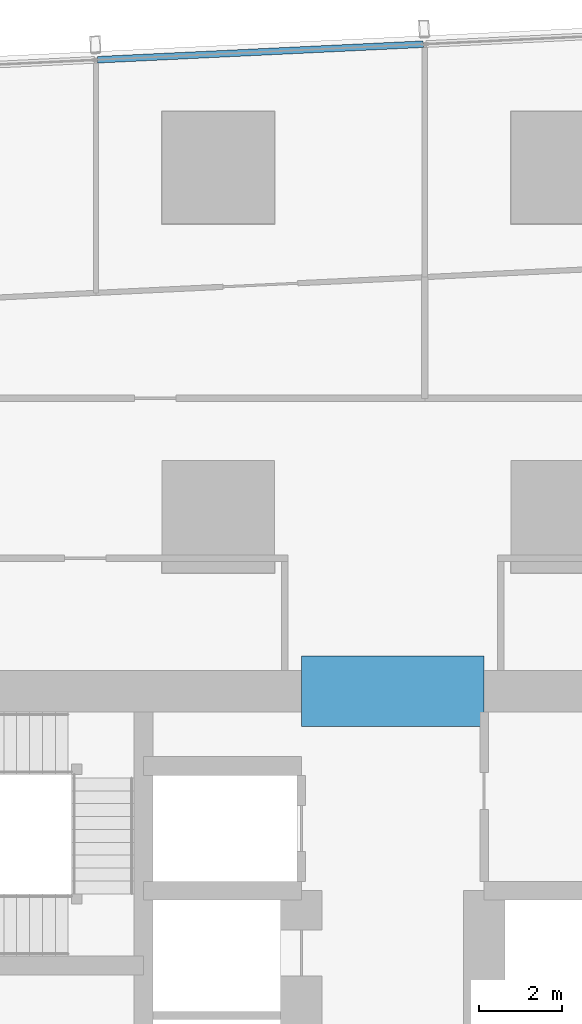
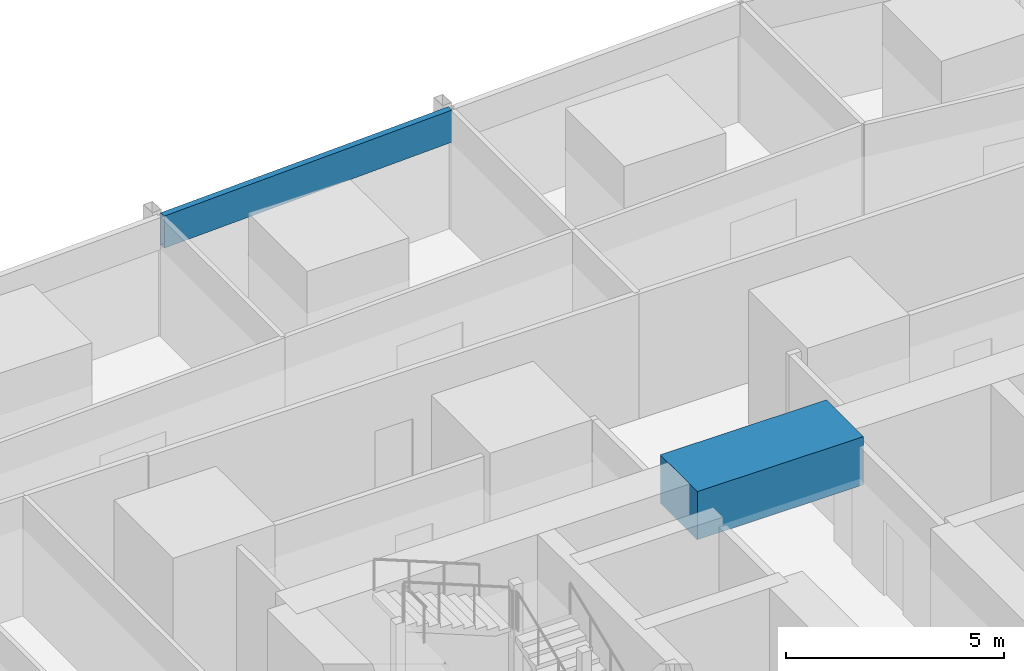
# One storey, part 18 of 36: 1 beam, 1 member, 1 element without a shape of its own.
"""IFC4 building model written with IfcOpenShell, lengths in metres."""

from ifc_helpers import new_model, si_unit, direction, frame, origin, origin_2d, place, context, subcontext, project, spatial, rectangle, hollow_rectangle, extrude, material, material_profile, profile_set, type_object, element, aggregate, save


model = new_model("IFC4")

# Units and contexts
model_context = context("Model", 3, precision=1e-05, world=origin(), true_north=direction((0.0, 1.0)))
body_context = subcontext(model_context, "Body", "Model", "MODEL_VIEW")
ifc_project = project(units=[si_unit("LENGTHUNIT", "METRE"), si_unit("AREAUNIT", "SQUARE_METRE"), si_unit("VOLUMEUNIT", "CUBIC_METRE"), si_unit("PLANEANGLEUNIT", "RADIAN"), si_unit("MASSUNIT", "GRAM", prefix="KILO")], contexts=[model_context])

# Site, building, storey
site_placement = place(None, origin())
site = spatial("IfcSite", under=ifc_project, at=site_placement, CompositionType="ELEMENT")
building_placement = place(site_placement, origin())
building = spatial("IfcBuilding", under=site, at=building_placement, Name="Rekha Terrace Tower", CompositionType="ELEMENT")
storey_placement = place(building_placement, frame((0.0, 0.0, 172.699951171875)))
storey = spatial("IfcBuildingStorey", under=building, at=storey_placement, Name="L43", CompositionType="ELEMENT", Elevation=172.699951171875)

# Curtain wall, member
ifc_material_1 = material(Name="Aluminium framing", Category="aluminium")
curtain_wall_type = type_object("IfcCurtainWallType", Name="CW3 north unitised glazing", PredefinedType="USERDEFINED", material=ifc_material_1)
curtain_wall_placement = place(storey_placement, origin())
curtain_wall = element("IfcCurtainWall", 1, at=curtain_wall_placement, inside=storey, type_object=curtain_wall_type, Name="CW3 unitised curtain wall", ObjectType="UNITISED CURTAIN WALL", PredefinedType="USERDEFINED")
ifc_material_2 = material(Name="Insulated aluminium spandrel box", Category="aluminium")
ifc_material_profile_1 = material_profile(ifc_material_2, hollow_rectangle(XDim=0.159912109375, YDim=0.89990234375, WallThickness=0.0029296875, at=origin_2d()), Name="AL SPANDREL BOX 160x900")
ifc_profile_set_1 = profile_set([ifc_material_profile_1], Name="Insulated aluminium spandrel box")
member_type = type_object("IfcMemberType", Name="CW3 spandrel transom 160 x 900", PredefinedType="USERDEFINED", material=ifc_profile_set_1)
member_placement = place(storey_placement, frame((38.53515625, 61.76953125, 3.050048828125), z_axis=(-0.998859252362, -0.047751376635, 0.0), x_axis=(0.047751376635, -0.998859252362, 0.0)))
member = element("IfcMember", 2, at=member_placement, type_object=member_type, Name="CW3 spandrel transom 2", ObjectType="TRANSOM", PredefinedType="USERDEFINED", context=body_context, shape_type="SweptSolid", body=[
    extrude(hollow_rectangle(XDim=0.159912109375, YDim=0.89990234375, WallThickness=0.0029296875, at=origin_2d()), origin(), (0.0, 0.0, 1.0), 7.84814453125),
])
aggregate(curtain_wall, [member])

# Beam
ifc_material_3 = material(Name="Concrete M60", Category="concrete")
ifc_material_profile_2 = material_profile(ifc_material_3, rectangle(XDim=1.699951171875, YDim=1.35009765625, at=origin_2d()), Name="RC 1700x1350")
ifc_profile_set_2 = profile_set([ifc_material_profile_2], Name="Concrete M60")
beam_type = type_object("IfcBeamType", Name="LB3A 1700x1350 diagonally reinforced coupling beam", PredefinedType="LINTEL", material=ifc_profile_set_2)
beam_placement = place(storey_placement, frame((35.60009765625, 46.199951171875, 3.074951171875), z_axis=(1.0, 0.0, 0.0), x_axis=(0.0, 1.0, 0.0)))
element("IfcBeam", 3, at=beam_placement, inside=storey, type_object=beam_type, Name="Coupling beam LB3A N L43", PredefinedType="LINTEL", context=body_context, shape_type="SweptSolid", body=[
    extrude(rectangle(XDim=1.699951171875, YDim=1.35009765625, at=origin_2d()), origin(), (0.0, 0.0, 1.0), 4.39990234375),
])

save(model, "model.ifc")
